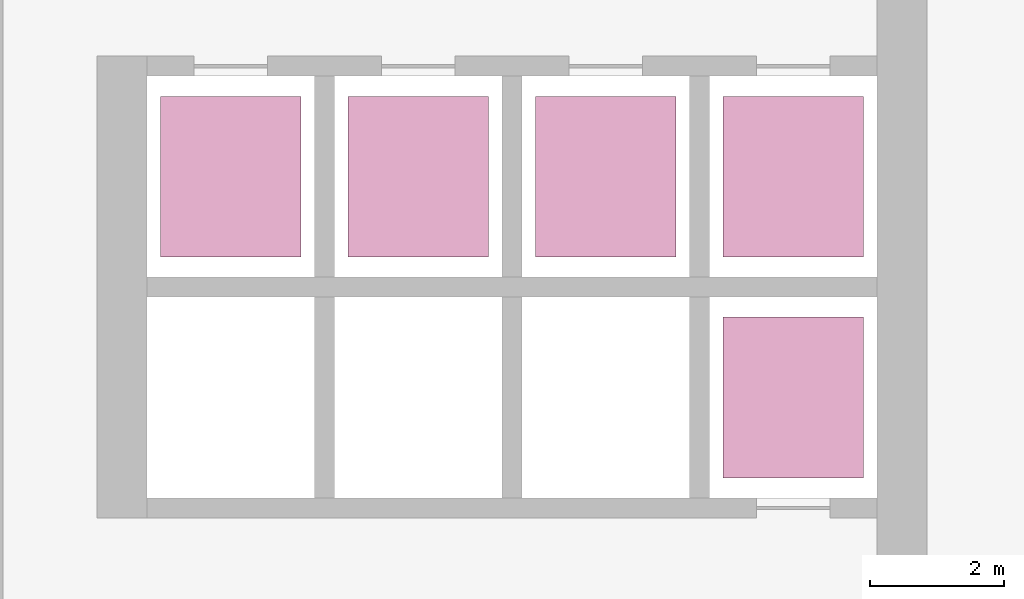
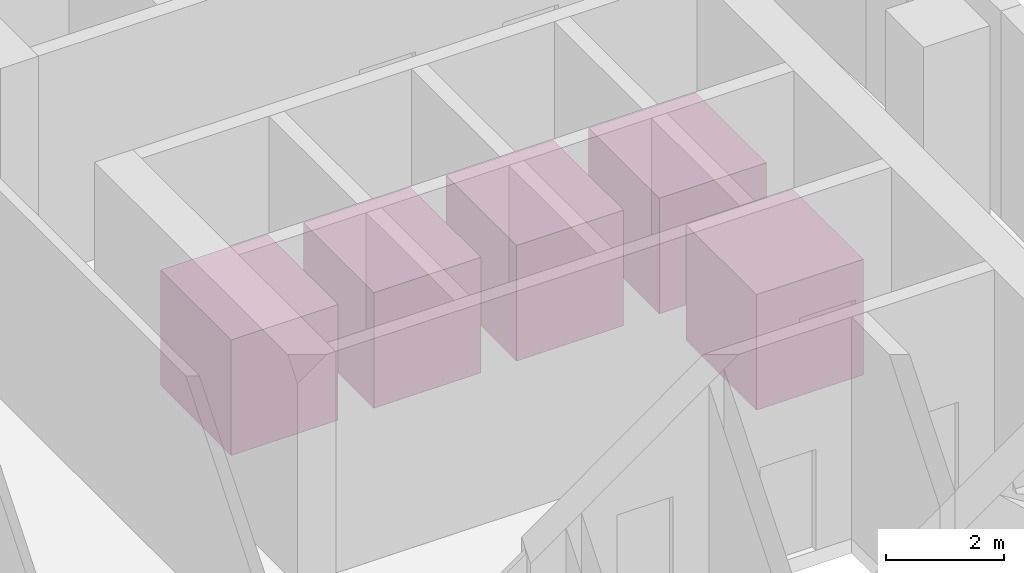
# One storey, part 19 of 19: 5 transport elements.
"""IFC4 building model written with IfcOpenShell, lengths in metres."""

from ifc_helpers import new_model, si_unit, direction, frame, origin, origin_2d, place, context, subcontext, project, spatial, rectangle, extrude, material, type_object, element, save


model = new_model("IFC4")

# Units and contexts
model_context = context("Model", 3, precision=1e-05, world=origin(), true_north=direction((0.0, 1.0)))
body_context = subcontext(model_context, "Body", "Model", "MODEL_VIEW")
ifc_project = project(units=[si_unit("LENGTHUNIT", "METRE"), si_unit("AREAUNIT", "SQUARE_METRE"), si_unit("VOLUMEUNIT", "CUBIC_METRE"), si_unit("PLANEANGLEUNIT", "RADIAN"), si_unit("MASSUNIT", "GRAM", prefix="KILO")], contexts=[model_context])

# Site, building, storey
site_placement = place(None, origin())
site = spatial("IfcSite", under=ifc_project, at=site_placement, CompositionType="ELEMENT")
building_placement = place(site_placement, origin())
building = spatial("IfcBuilding", under=site, at=building_placement, Name="Ostrand Prow Hotel Tower", CompositionType="ELEMENT")
storey_placement = place(building_placement, frame((0.0, 0.0, 170.89990234375)))
storey = spatial("IfcBuildingStorey", under=building, at=storey_placement, Name="L42", CompositionType="ELEMENT", Elevation=170.89990234375)

# Transport elements
ifc_material = material(Name="Stainless steel", Category="steel")
transport_element_type = type_object("IfcTransportElementType", Name="Passenger lift car", PredefinedType="ELEVATOR", material=ifc_material)
for number, where, z_axis, x_axis, name in (
    (1, (51.949951171875, 1.64990234375, 0.000244140625), (0.0, 0.0, 1.0), (1.0, 0.0, 0.0), "LIFT HR1"),
    (2, (54.75, 1.64990234375, 0.000244140625), (0.0, 0.0, 1.0), (1.0, 0.0, 0.0), "LIFT HR2"),
    (3, (57.550048828125, 1.64990234375, 0.000244140625), (0.0, 0.0, 1.0), (1.0, 0.0, 0.0), "LIFT HR3"),
    (4, (60.35009765625, 1.64990234375, 0.000244140625), (0.0, 0.0, 1.0), (1.0, 0.0, 0.0), "LIFT HR4"),
    (5, (60.35009765625, -1.64990234375, 0.000244140625), (0.0, 0.0, 1.0), (1.0, 0.0, 0.0), "LIFT HR5"),
):
    element("IfcTransportElement", number, at=place(storey_placement, frame(where, z_axis=z_axis, x_axis=x_axis)), inside=storey, type_object=transport_element_type, Name=name, PredefinedType="ELEVATOR", context=body_context, shape_type="SweptSolid", body=[
        extrude(rectangle(XDim=2.10009765625, YDim=2.39990234375, at=origin_2d()), origin(), (0.0, 0.0, 1.0), 2.39990234375),
    ])

save(model, "model.ifc")
